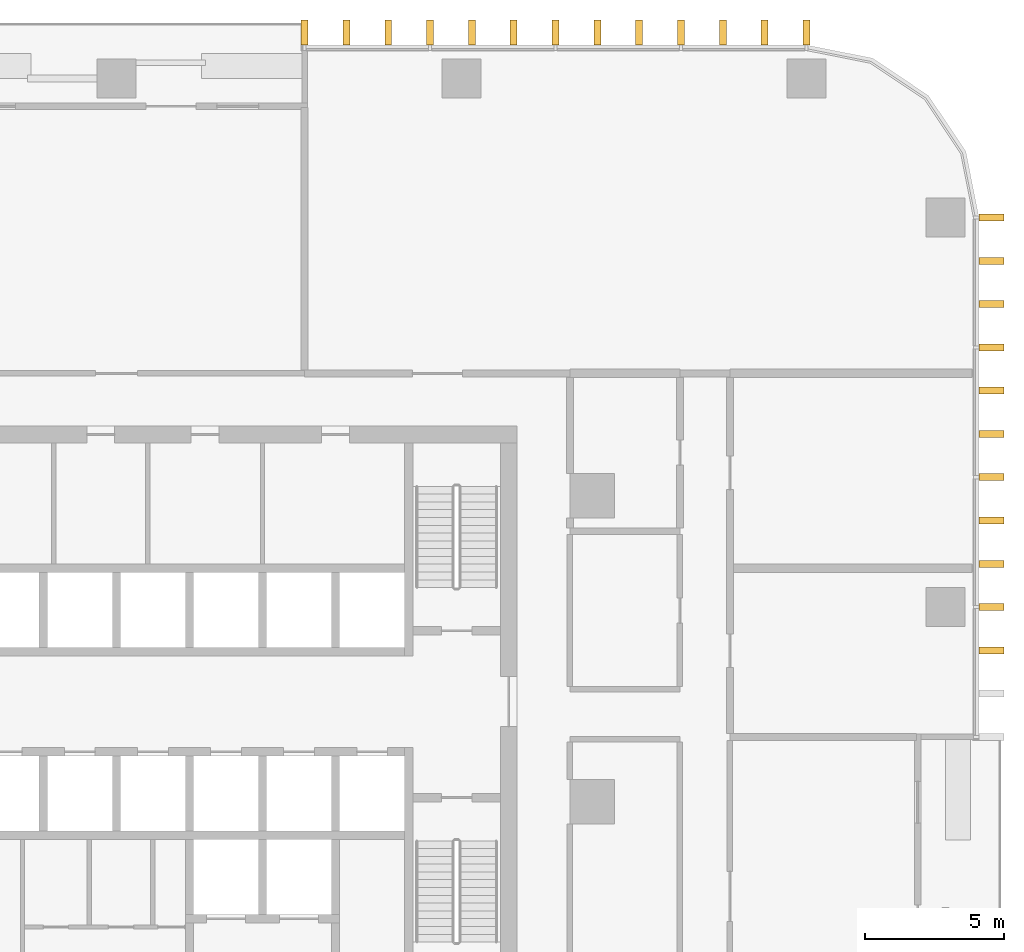
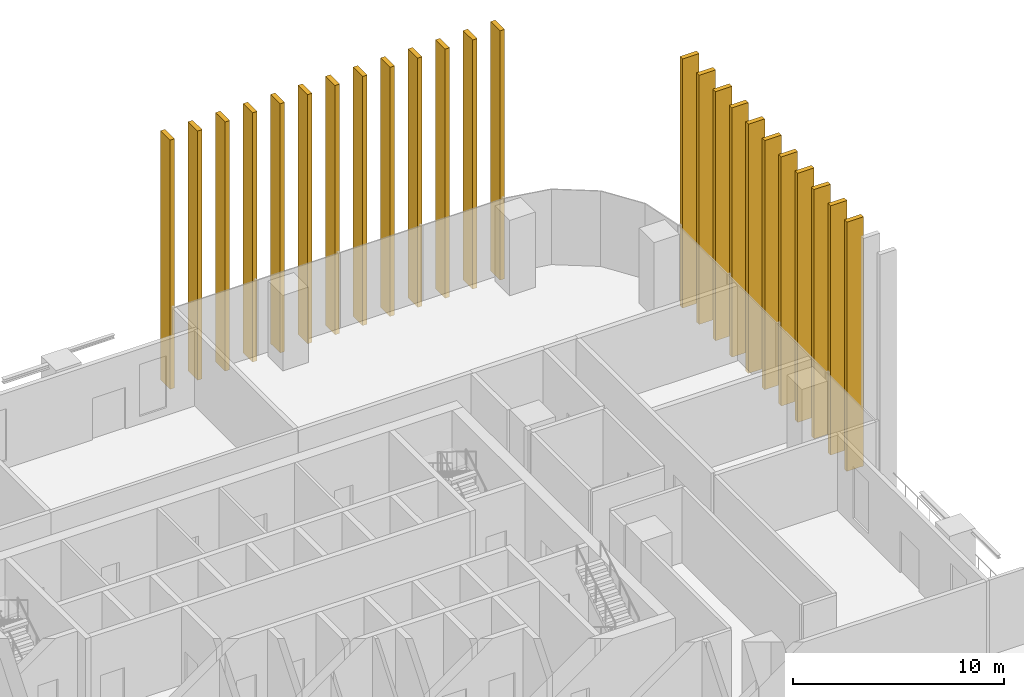
# One storey, part 17 of 17: 24 shading devices.
"""IFC4 building model written with IfcOpenShell, lengths in metres."""

from ifc_helpers import new_model, si_unit, direction, frame, origin, origin_2d, place, context, subcontext, project, spatial, rectangle, extrude, material, type_object, element, save


model = new_model("IFC4")

# Units and contexts
model_context = context("Model", 3, precision=1e-05, world=origin(), true_north=direction((0.0, 1.0)))
body_context = subcontext(model_context, "Body", "Model", "MODEL_VIEW")
ifc_project = project(units=[si_unit("LENGTHUNIT", "METRE"), si_unit("AREAUNIT", "SQUARE_METRE"), si_unit("VOLUMEUNIT", "CUBIC_METRE"), si_unit("PLANEANGLEUNIT", "RADIAN"), si_unit("MASSUNIT", "GRAM", prefix="KILO")], contexts=[model_context])

# Site, building, storey
site_placement = place(None, origin())
site = spatial("IfcSite", under=ifc_project, at=site_placement, CompositionType="ELEMENT")
building_placement = place(site_placement, origin())
building = spatial("IfcBuilding", under=site, at=building_placement, Name="Mopane Tessera Tower", CompositionType="ELEMENT")
storey_placement = place(building_placement, frame((0.0, 0.0, 45.39990234375)))
storey = spatial("IfcBuildingStorey", under=building, at=storey_placement, Name="L08", CompositionType="ELEMENT", Elevation=45.39990234375)

# Shading devices
ifc_material = material(Name="Glazed ceramic tile")
shading_device_type = type_object("IfcShadingDeviceType", Name="Ceramic tile fin 900 x 250 mm", PredefinedType="USERDEFINED", material=ifc_material)
for number, where, z_axis, x_axis, name in (
    (1, (31.449951171875, 5.4443359375, -0.449951171875), (0.0, 0.0, 1.0), (0.0, 1.0, 0.0), "e:fin:L08:E:5:2"),
    (2, (31.449951171875, 7.0, -0.449951171875), (0.0, 0.0, 1.0), (0.0, 1.0, 0.0), "e:fin:L08:E:6:0"),
    (3, (31.449951171875, 8.5556640625, -0.449951171875), (0.0, 0.0, 1.0), (0.0, 1.0, 0.0), "e:fin:L08:E:6:1"),
    (4, (31.449951171875, 10.111083984375, -0.449951171875), (0.0, 0.0, 1.0), (0.0, 1.0, 0.0), "e:fin:L08:E:6:2"),
    (5, (31.449951171875, 11.666748046875, -0.449951171875), (0.0, 0.0, 1.0), (0.0, 1.0, 0.0), "e:fin:L08:E:7:0"),
    (6, (31.449951171875, 13.22216796875, -0.449951171875), (0.0, 0.0, 1.0), (0.0, 1.0, 0.0), "e:fin:L08:E:7:1"),
    (7, (31.449951171875, 14.77783203125, -0.449951171875), (0.0, 0.0, 1.0), (0.0, 1.0, 0.0), "e:fin:L08:E:7:2"),
    (8, (31.449951171875, 16.333251953125, -0.449951171875), (0.0, 0.0, 1.0), (0.0, 1.0, 0.0), "e:fin:L08:E:8:0"),
    (9, (31.449951171875, 17.888916015625, -0.449951171875), (0.0, 0.0, 1.0), (0.0, 1.0, 0.0), "e:fin:L08:E:8:1"),
    (10, (31.449951171875, 19.4443359375, -0.449951171875), (0.0, 0.0, 1.0), (0.0, 1.0, 0.0), "e:fin:L08:E:8:2"),
    (11, (31.449951171875, 21.0, -0.449951171875), (0.0, 0.0, 1.0), (0.0, 1.0, 0.0), "e:fin:L08:E:8:3"),
    (12, (24.800048828125, 27.64990234375, -0.449951171875), (0.0, 0.0, 1.0), (-1.0, 0.0, 0.0), "e:fin:L08:N:0:0"),
    (13, (23.296875, 27.64990234375, -0.449951171875), (0.0, 0.0, 1.0), (-1.0, 0.0, 0.0), "e:fin:L08:N:0:1"),
    (14, (21.7939453125, 27.64990234375, -0.449951171875), (0.0, 0.0, 1.0), (-1.0, 0.0, 0.0), "e:fin:L08:N:0:2"),
    (15, (20.291015625, 27.64990234375, -0.449951171875), (0.0, 0.0, 1.0), (-1.0, 0.0, 0.0), "e:fin:L08:N:1:0"),
    (16, (18.787841796875, 27.64990234375, -0.449951171875), (0.0, 0.0, 1.0), (-1.0, 0.0, 0.0), "e:fin:L08:N:1:1"),
    (17, (17.284912109375, 27.64990234375, -0.449951171875), (0.0, 0.0, 1.0), (-1.0, 0.0, 0.0), "e:fin:L08:N:1:2"),
    (18, (15.78173828125, 27.64990234375, -0.449951171875), (0.0, 0.0, 1.0), (-1.0, 0.0, 0.0), "e:fin:L08:N:2:0"),
    (19, (14.27880859375, 27.64990234375, -0.449951171875), (0.0, 0.0, 1.0), (-1.0, 0.0, 0.0), "e:fin:L08:N:2:1"),
    (20, (12.77587890625, 27.64990234375, -0.449951171875), (0.0, 0.0, 1.0), (-1.0, 0.0, 0.0), "e:fin:L08:N:2:2"),
    (21, (11.272705078125, 27.64990234375, -0.449951171875), (0.0, 0.0, 1.0), (-1.0, 0.0, 0.0), "e:fin:L08:N:3:0"),
    (22, (9.769775390625, 27.64990234375, -0.449951171875), (0.0, 0.0, 1.0), (-1.0, 0.0, 0.0), "e:fin:L08:N:3:1"),
    (23, (8.2666015625, 27.64990234375, -0.449951171875), (0.0, 0.0, 1.0), (-1.0, 0.0, 0.0), "e:fin:L08:N:3:2"),
    (24, (6.763671875, 27.64990234375, -0.449951171875), (0.0, 0.0, 1.0), (-1.0, 0.0, 0.0), "e:fin:L08:N:3:3"),
):
    element("IfcShadingDevice", number, at=place(storey_placement, frame(where, z_axis=z_axis, x_axis=x_axis)), inside=storey, type_object=shading_device_type, Name=name, ObjectType="FIN", PredefinedType="USERDEFINED", context=body_context, shape_type="SweptSolid", body=[
        extrude(rectangle(XDim=0.25, YDim=0.89990234375, at=origin_2d()), origin(), (0.0, 0.0, 1.0), 14.39990234375),
    ])

save(model, "model.ifc")
